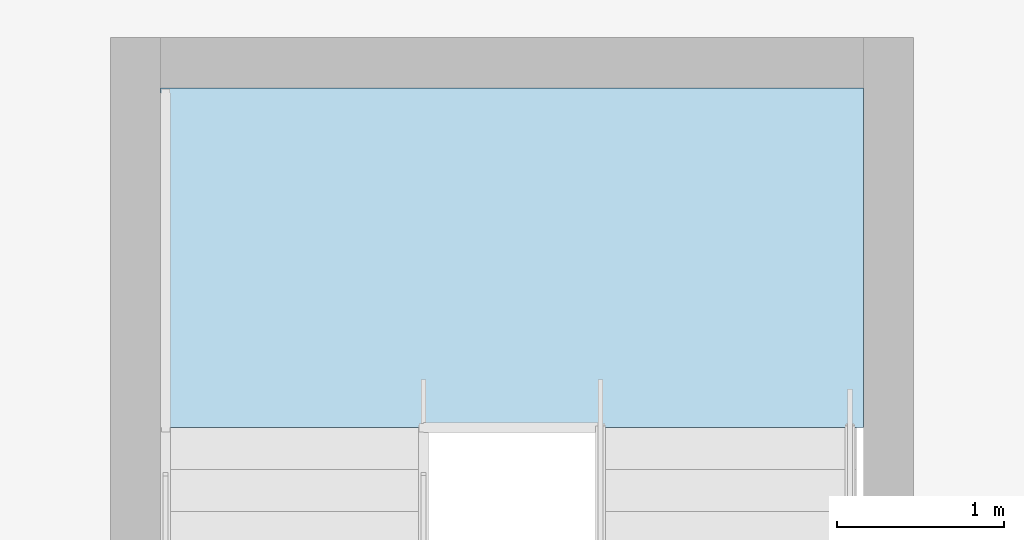
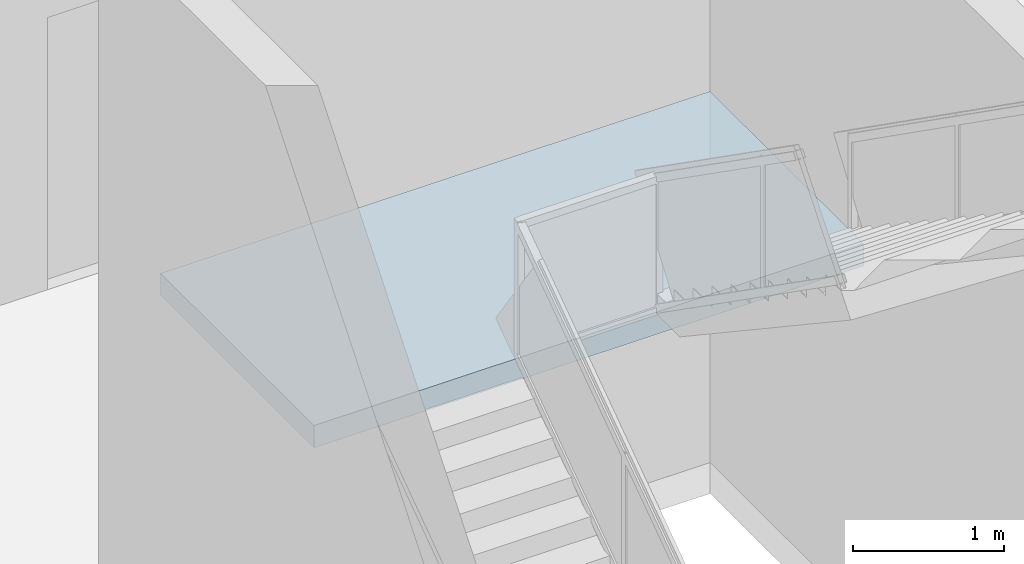
# One storey, part 32 of 73: 1 slab, 1 element without a shape of its own.
"""IFC4 building model written with IfcOpenShell, lengths in metres."""

from ifc_helpers import new_model, si_unit, direction, frame, origin, place, context, subcontext, project, spatial, polyline, outline, extrude, material, layer, layer_set, type_object, element, aggregate, save


model = new_model("IFC4")

# Units and contexts
model_context = context("Model", 3, precision=1e-05, world=origin(), true_north=direction((0.0, 1.0)))
body_context = subcontext(model_context, "Body", "Model", "MODEL_VIEW")
ifc_project = project(units=[si_unit("LENGTHUNIT", "METRE"), si_unit("AREAUNIT", "SQUARE_METRE"), si_unit("VOLUMEUNIT", "CUBIC_METRE"), si_unit("PLANEANGLEUNIT", "RADIAN"), si_unit("MASSUNIT", "GRAM", prefix="KILO")], contexts=[model_context])

# Site, building, storey
site_placement = place(None, origin())
site = spatial("IfcSite", under=ifc_project, at=site_placement, CompositionType="ELEMENT")
building_placement = place(site_placement, origin())
building = spatial("IfcBuilding", under=site, at=building_placement, Name="Linyun Crest Stadium", CompositionType="ELEMENT")
storey_placement = place(building_placement, origin())
storey = spatial("IfcBuildingStorey", under=building, at=storey_placement, Name="L01", CompositionType="ELEMENT", Elevation=0.0)

# Stair, slab
ifc_material_1 = material(Name="Concrete C40", Category="concrete")
stair_type = type_object("IfcStairType", Name="STA01", PredefinedType="HALF_TURN_STAIR", material=ifc_material_1)
stair_placement = place(storey_placement, origin())
stair = element("IfcStair", 1, at=stair_placement, inside=storey, type_object=stair_type, Name="Vomitory evacuation stair STR-26-L01", PredefinedType="HALF_TURN_STAIR")
ifc_material_2 = material(Name="Concrete C40", Category="concrete")
ifc_layer = layer(ifc_material_2, 0.179931640625)
ifc_layer_set = layer_set([ifc_layer], Name="Concrete C40")
slab_type = type_object("IfcSlabType", Name="LS01", PredefinedType="LANDING", material=ifc_layer_set)
slab_placement = place(storey_placement, frame((0.0, 0.0, 2.820068359375)))
slab = element("IfcSlab", 2, at=slab_placement, type_object=slab_type, Name="STR-26-L01 half-landing", PredefinedType="LANDING", context=body_context, shape_type="SweptSolid", body=[
    extrude(outline(polyline([(31.39990234375, 99.169921875), (35.60009765625, 99.169921875), (35.60009765625, 101.199951171875), (31.39990234375, 101.199951171875), (31.39990234375, 99.169921875)])), origin(), (0.0, 0.0, 1.0), 0.179931640625),
])
aggregate(stair, [slab])

save(model, "model.ifc")
